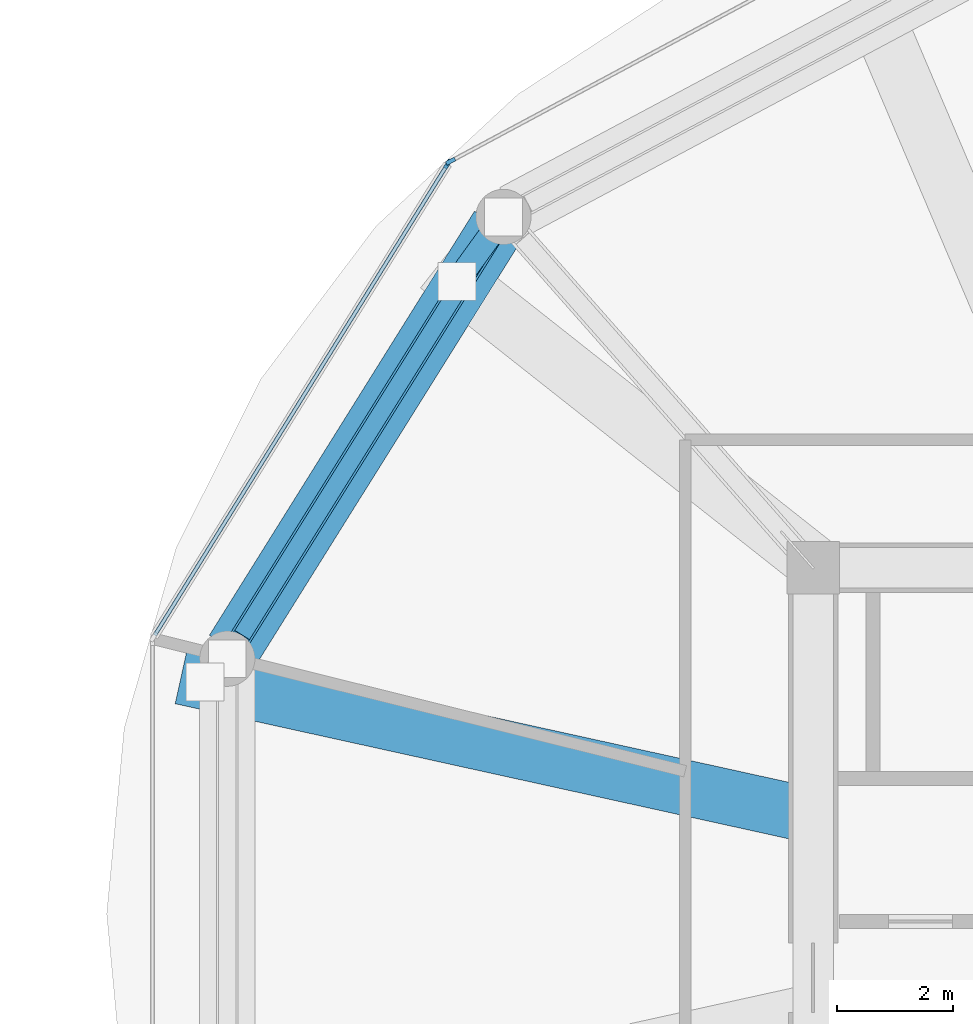
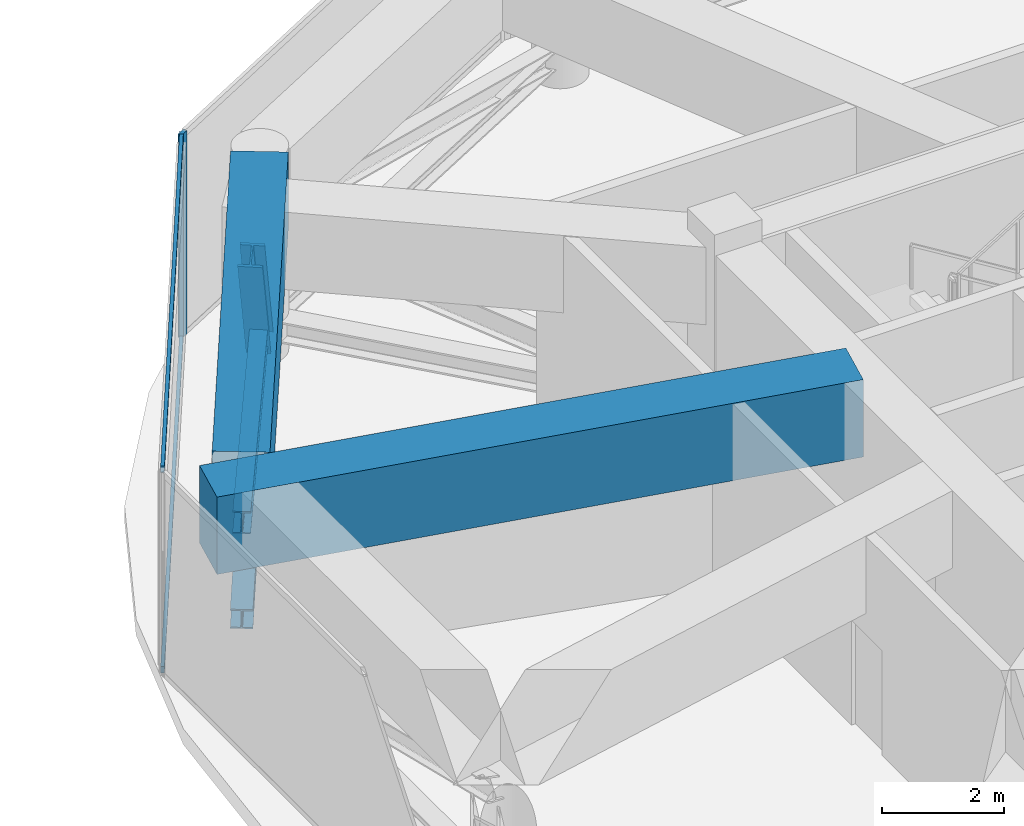
# One storey, part 8 of 22: 7 members, 2 beams, 2 elements without a shape of their own.
"""IFC4 building model written with IfcOpenShell, lengths in metres."""

from ifc_helpers import new_model, si_unit, direction, frame, origin, origin_2d, place, context, subcontext, project, spatial, rectangle, i_section, extrude, source, transform, mapped, material, layer, layer_set, material_profile, profile_set, type_object, type_shapes, element, aggregate, save


model = new_model("IFC4")

# Units and contexts
model_context = context("Model", 3, precision=1e-05, world=origin(), true_north=direction((0.0, 1.0)))
body_context = subcontext(model_context, "Body", "Model", "MODEL_VIEW")
ifc_project = project(units=[si_unit("LENGTHUNIT", "METRE"), si_unit("AREAUNIT", "SQUARE_METRE"), si_unit("VOLUMEUNIT", "CUBIC_METRE"), si_unit("PLANEANGLEUNIT", "RADIAN"), si_unit("MASSUNIT", "GRAM", prefix="KILO")], contexts=[model_context])

# Site, building, storey
site_placement = place(None, origin())
site = spatial("IfcSite", under=ifc_project, at=site_placement, CompositionType="ELEMENT")
building_placement = place(site_placement, origin())
building = spatial("IfcBuilding", under=site, at=building_placement, Name="Norrkilde Senior Care Towers", CompositionType="ELEMENT")
storey_placement = place(building_placement, frame((0.0, 0.0, 73.449951171875)))
storey = spatial("IfcBuildingStorey", under=building, at=storey_placement, Name="L22", CompositionType="ELEMENT", Elevation=73.449951171875)

# Beams
ifc_material_1 = material(Name="Concrete C60/75", Category="concrete")
ifc_material_profile_1 = material_profile(ifc_material_1, rectangle(XDim=0.949951171875, YDim=1.550048828125, at=origin_2d()), Name="RC TG 950x1550")
ifc_profile_set_1 = profile_set([ifc_material_profile_1], Name="Concrete C60/75")
beam_type = type_object("IfcBeamType", Name="Transfer Girder Zone Shift 950x1550", PredefinedType="USERDEFINED", material=ifc_profile_set_1)
shared_shape_1 = source(origin(), body_context, "Body", "SweptSolid", [
    extrude(rectangle(XDim=0.949951171875, YDim=1.550048828125, at=origin_2d()), origin(), (0.0, 0.0, 1.0), 8.6005859375),
])
beam_1_placement = place(storey_placement, frame((14.92919921875, 11.832763671875, 3.304931640625), z_axis=(-0.53002700696, -0.847980761511, 0.0), x_axis=(0.847980761511, -0.53002700696, 0.0)))
element("IfcBeam", 1, at=beam_1_placement, inside=storey, type_object=beam_type, Name="L22 Drum E Zone Ring Transfer Girder 05", ObjectType="GIRDER", PredefinedType="USERDEFINED", context=body_context, shape_type="MappedRepresentation", body=[
    mapped(shared_shape_1, transform((0.0, 0.0, 0.0), x_axis=(1.0, 0.0, 0.0), y_axis=(0.0, 1.0, 0.0), z_axis=(0.0, 0.0, 1.0), scale=1.0)),
])
shared_shape_2 = source(origin(), body_context, "Body", "SweptSolid", [
    extrude(rectangle(XDim=0.949951171875, YDim=1.550048828125, at=origin_2d()), origin(), (0.0, 0.0, 1.0), 11.12939453125),
])
type_shapes(beam_type, [shared_shape_1, shared_shape_2])
beam_2_placement = place(storey_placement, frame((20.35009765625, 1.683837890625, 3.304931640625), z_axis=(-0.976618681418, 0.214978955029, 0.0), x_axis=(-0.214978955029, -0.976618681418, 0.0)))
element("IfcBeam", 2, at=beam_2_placement, inside=storey, type_object=beam_type, Name="L22 Drum E Zone Transfer Girder 06", ObjectType="GIRDER", PredefinedType="USERDEFINED", context=body_context, shape_type="MappedRepresentation", body=[
    mapped(shared_shape_2, transform((0.0, 0.0, 0.0), x_axis=(1.0, 0.0, 0.0), y_axis=(0.0, 1.0, 0.0), z_axis=(0.0, 0.0, 1.0), scale=1.0)),
])

# Members
ifc_material_2 = material(Name="Steel S355", Category="steel")
ifc_material_profile_2 = material_profile(ifc_material_2, i_section(OverallWidth=0.412109375, OverallDepth=0.449951171875, WebThickness=0.028076171875, FlangeThickness=0.044921875, FilletRadius=0.014892578125, at=origin_2d()), Name="HD 400x509")
ifc_profile_set_2 = profile_set([ifc_material_profile_2], Name="Steel S355")
member_type_1 = type_object("IfcMemberType", Name="Pratt Bridge Truss Diagonal HD400x509", PredefinedType="BRACE", material=ifc_profile_set_2)
shared_shape_3 = source(origin(), body_context, "Body", "SweptSolid", [
    extrude(i_section(OverallWidth=0.412109375, OverallDepth=0.449951171875, WebThickness=0.028076171875, FlangeThickness=0.044921875, FilletRadius=0.014892578125, at=origin_2d()), origin(), (0.0, 0.0, 1.0), 3.0087890625),
])
type_shapes(member_type_1, [shared_shape_3])
member_1_placement = place(storey_placement, frame((15.024658203125, 11.9853515625, 0.150146484375), z_axis=(-0.266304591803, -0.368461045514, 0.890684187758), x_axis=(0.810476806317, -0.585770728547, 0.0)))
element("IfcMember", 3, at=member_1_placement, inside=storey, type_object=member_type_1, Name="L22 Drum E Zone Transfer Raking Strut 05", PredefinedType="BRACE", context=body_context, shape_type="MappedRepresentation", body=[
    mapped(shared_shape_3, transform((0.0, 0.0, 0.0), x_axis=(1.0, 0.0, 0.0), y_axis=(0.0, 1.0, 0.0), z_axis=(0.0, 0.0, 1.0), scale=1.0)),
])
ifc_material_profile_3 = material_profile(ifc_material_2, i_section(OverallWidth=0.3740234375, OverallDepth=0.386962890625, WebThickness=0.01611328125, FlangeThickness=0.027099609375, FilletRadius=0.014892578125, at=origin_2d()), Name="HD 360x262")
ifc_profile_set_3 = profile_set([ifc_material_profile_3], Name="Steel S355")
member_type_2 = type_object("IfcMemberType", Name="Belt Truss Ring Chord HD360x262", PredefinedType="CHORD", material=ifc_profile_set_3)
shared_shape_4 = source(origin(), body_context, "Body", "SweptSolid", [
    extrude(i_section(OverallWidth=0.3740234375, OverallDepth=0.386962890625, WebThickness=0.01611328125, FlangeThickness=0.027099609375, FilletRadius=0.014892578125, at=origin_2d()), origin(), (0.0, 0.0, 1.0), 8.090576171875),
])
type_shapes(member_type_2, [shared_shape_4])
member_2_placement = place(storey_placement, frame((14.7939453125, 11.61669921875, 0.550048828125), z_axis=(-0.530004364821, -0.84799491347, 0.0), x_axis=(0.84799491347, -0.530004364821, 0.0)))
element("IfcMember", 4, at=member_2_placement, inside=storey, type_object=member_type_2, Name="L22 Drum E Belt Truss Bottom Chord 05", PredefinedType="CHORD", context=body_context, shape_type="MappedRepresentation", body=[
    mapped(shared_shape_4, transform((0.0, 0.0, 0.0), x_axis=(1.0, 0.0, 0.0), y_axis=(0.0, 1.0, 0.0), z_axis=(0.0, 0.0, 1.0), scale=1.0)),
])
ifc_material_profile_4 = material_profile(ifc_material_2, i_section(OverallWidth=0.300048828125, OverallDepth=0.39990234375, WebThickness=0.013427734375, FlangeThickness=0.02392578125, FilletRadius=0.027099609375, at=origin_2d()), Name="HEB 400")
ifc_profile_set_4 = profile_set([ifc_material_profile_4], Name="Steel S355")
member_type_3 = type_object("IfcMemberType", Name="Belt Truss Diagonal HEB400", PredefinedType="BRACE", material=ifc_profile_set_4)
shared_shape_5 = source(origin(), body_context, "Body", "SweptSolid", [
    extrude(i_section(OverallWidth=0.300048828125, OverallDepth=0.39990234375, WebThickness=0.013427734375, FlangeThickness=0.02392578125, FilletRadius=0.027099609375, at=origin_2d()), origin(), (0.0, 0.0, 1.0), 8.317626953125),
])
type_shapes(member_type_3, [shared_shape_5])
member_3_placement = place(storey_placement, frame((14.7939453125, 11.61669921875, 0.550048828125), z_axis=(-0.515540041994, -0.824852326355, 0.232028241401), x_axis=(0.84799491347, -0.530004364821, 0.0)))
element("IfcMember", 5, at=member_3_placement, inside=storey, type_object=member_type_3, Name="L22 Drum E Belt Truss Diagonal 05", PredefinedType="BRACE", context=body_context, shape_type="MappedRepresentation", body=[
    mapped(shared_shape_5, transform((0.0, 0.0, 0.0), x_axis=(1.0, 0.0, 0.0), y_axis=(0.0, 1.0, 0.0), z_axis=(0.0, 0.0, 1.0), scale=1.0)),
])

# Curtain wall, member
ifc_material_3 = material(Name="Triple Low-E Insulated Glazing", Category="glass")
ifc_layer = layer(ifc_material_3, 0.18505859375)
ifc_layer_set = layer_set([ifc_layer], Name="Triple Low-E Insulated Glazing")
curtain_wall_type = type_object("IfcCurtainWallType", Name="CW6 Zone 4 Crown Pavilion Curtain Wall", PredefinedType="NOTDEFINED", material=ifc_layer_set)
curtain_wall_1_placement = place(storey_placement, origin())
curtain_wall_1 = element("IfcCurtainWall", 6, at=curtain_wall_1_placement, inside=storey, type_object=curtain_wall_type, Name="L22 Drum E Curtain Wall 03", PredefinedType="NOTDEFINED")
ifc_material_4 = material(Name="Anodised Aluminium", Category="aluminium")
ifc_material_profile_5 = material_profile(ifc_material_4, rectangle(XDim=0.070068359375, YDim=0.169921875, at=origin_2d()), Name="ALU MULL 70x170")
ifc_profile_set_5 = profile_set([ifc_material_profile_5], Name="Anodised Aluminium")
member_type_4 = type_object("IfcMemberType", Name="Curtain Wall Mullion Heavy 70x170", PredefinedType="MULLION", material=ifc_profile_set_5)
shared_shape_6 = source(origin(), body_context, "Body", "SweptSolid", [
    extrude(rectangle(XDim=0.070068359375, YDim=0.169921875, at=origin_2d()), origin(), (0.0, 0.0, 1.0), 4.080078125),
])
type_shapes(member_type_4, [shared_shape_6])
member_4_placement = place(storey_placement, frame((14.114990234375, 12.9423828125, 0.0), z_axis=(0.0, 0.0, 1.0), x_axis=(-0.472607802456, 0.881272866403, 0.0)))
member_4 = element("IfcMember", 7, at=member_4_placement, type_object=member_type_4, Name="CW-6 mullion 1", PredefinedType="MULLION", context=body_context, shape_type="MappedRepresentation", body=[
    mapped(shared_shape_6, transform((0.0, 0.0, 0.0), x_axis=(1.0, 0.0, 0.0), y_axis=(0.0, 1.0, 0.0), z_axis=(0.0, 0.0, 1.0), scale=1.0)),
])
aggregate(curtain_wall_1, [member_4])

# Curtain wall, members
curtain_wall_2_placement = place(storey_placement, origin())
curtain_wall_2 = element("IfcCurtainWall", 8, at=curtain_wall_2_placement, inside=storey, type_object=curtain_wall_type, Name="L22 Drum E Curtain Wall 04", PredefinedType="NOTDEFINED")
member_5_placement = place(storey_placement, frame((14.065673828125, 12.896240234375, 0.0), z_axis=(0.0, 0.0, 1.0), x_axis=(-0.849305943117, 0.527900951871, 0.0)))
member_5 = element("IfcMember", 9, at=member_5_placement, type_object=member_type_4, Name="CW-6 mullion 2", PredefinedType="MULLION", context=body_context, shape_type="MappedRepresentation", body=[
    mapped(shared_shape_6, transform((0.0, 0.0, 0.0), x_axis=(1.0, 0.0, 0.0), y_axis=(0.0, 1.0, 0.0), z_axis=(0.0, 0.0, 1.0), scale=1.0)),
])
ifc_material_profile_6 = material_profile(ifc_material_4, rectangle(XDim=0.06494140625, YDim=0.1298828125, at=origin_2d()), Name="ALU TRAN 65x130")
ifc_profile_set_6 = profile_set([ifc_material_profile_6], Name="Anodised Aluminium")
member_type_5 = type_object("IfcMemberType", Name="Curtain Wall Transom Heavy 65x130", PredefinedType="USERDEFINED", material=ifc_profile_set_6)
shared_shape_7 = source(origin(), body_context, "Body", "SweptSolid", [
    extrude(rectangle(XDim=0.06494140625, YDim=0.1298828125, at=origin_2d()), origin(), (0.0, 0.0, 1.0), 9.508544921875),
])
type_shapes(member_type_5, [shared_shape_7])
member_6_placement = place(storey_placement, frame((9.027587890625, 4.790771484375, 0.032470703125), z_axis=(0.527897081271, 0.849308348944, 0.0), x_axis=(-0.849308348944, 0.527897081271, 0.0)))
member_6 = element("IfcMember", 10, at=member_6_placement, type_object=member_type_5, Name="CW-6 transom 1.1", ObjectType="TRANSOM", PredefinedType="USERDEFINED", context=body_context, shape_type="MappedRepresentation", body=[
    mapped(shared_shape_7, transform((0.0, 0.0, 0.0), x_axis=(1.0, 0.0, 0.0), y_axis=(0.0, 1.0, 0.0), z_axis=(0.0, 0.0, 1.0), scale=1.0)),
])
member_7_placement = place(storey_placement, frame((9.027587890625, 4.790771484375, 4.047607421875), z_axis=(0.527897081271, 0.849308348944, 0.0), x_axis=(-0.849308348944, 0.527897081271, 0.0)))
member_7 = element("IfcMember", 11, at=member_7_placement, type_object=member_type_5, Name="CW-6 transom 1.2", ObjectType="TRANSOM", PredefinedType="USERDEFINED", context=body_context, shape_type="MappedRepresentation", body=[
    mapped(shared_shape_7, transform((0.0, 0.0, 0.0), x_axis=(1.0, 0.0, 0.0), y_axis=(0.0, 1.0, 0.0), z_axis=(0.0, 0.0, 1.0), scale=1.0)),
])
aggregate(curtain_wall_2, [member_5, member_6, member_7])

save(model, "model.ifc")
